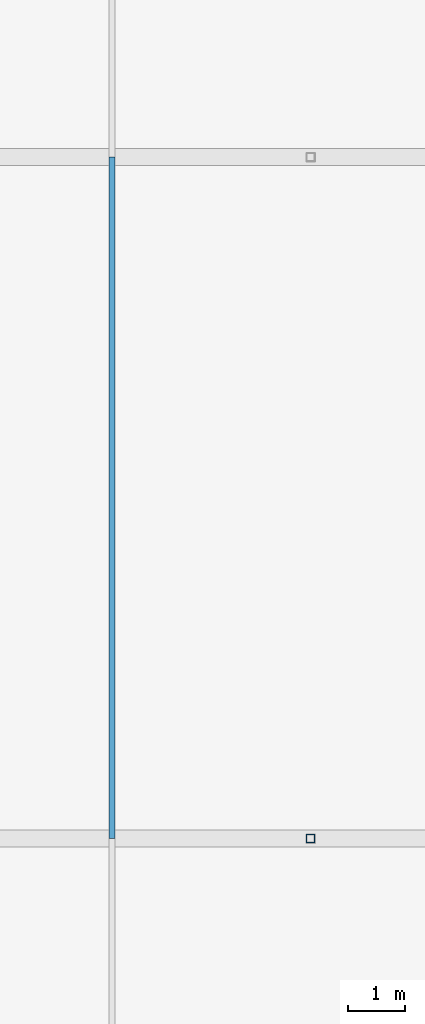
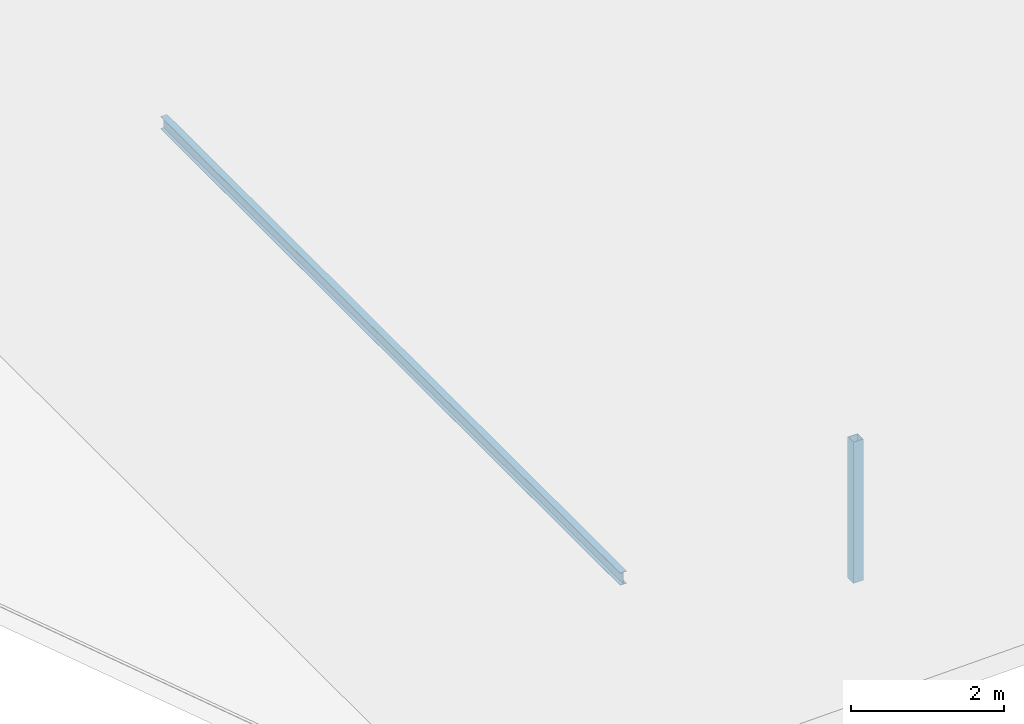
# One storey, part 16 of 204: 2 members.
"""IFC4 building model written with IfcOpenShell, lengths in metres."""

import ifcopenshell
import ifcopenshell.guid

model = None  # the IFC model being written
_history = None  # IfcOwnerHistory: only IFC2X3 demands one
_inside = {}  # id of a spatial element -> (the spatial element, [elements in it])
_under = {}  # id of a project, library or spatial element -> (it, [spatial elements below it])
_declared = {}  # id of a project -> (the project, [libraries it declares])
_typed = {}  # id of a type object -> (the type object, [elements of that type])
_made_of = {}  # id of a material, layer set ... -> (it, [elements and type objects made of it])


def new_model(schema):
    """Start an empty IFC model of exactly this schema.

    Asked for "IFC4X3", IfcOpenShell would pick the latest addendum, in which some entities
    have other attributes; the version numbers below select the first issue.
    IFC2X3 requires an IfcOwnerHistory on every rooted entity: one is made here for all.
    """
    global model, _history
    if schema == "IFC4X3":
        model = ifcopenshell.file(schema_version=(4, 3, 0, 0))
    else:
        model = ifcopenshell.file(schema=schema)
    _inside.clear()
    _under.clear()
    _declared.clear()
    _typed.clear()
    _made_of.clear()
    _history = None
    if model.schema == "IFC2X3":
        org = make("IfcOrganization", Name="unknown")
        user = make(
            "IfcPersonAndOrganization",
            ThePerson=make("IfcPerson", FamilyName="unknown"),
            TheOrganization=org,
        )
        app = make(
            "IfcApplication",
            ApplicationDeveloper=org,
            Version="unknown",
            ApplicationFullName="unknown",
            ApplicationIdentifier="unknown",
        )
        _history = make(
            "IfcOwnerHistory",
            OwningUser=user,
            OwningApplication=app,
            ChangeAction="ADDED",
            CreationDate=0,
        )
    return model


def make(cls, **values):
    """One entity of the class cls with the attributes given. An attribute that is None is left unset."""
    return model.create_entity(
        cls, **{name: value for name, value in values.items() if value is not None}
    )


def rooted(cls, **values):
    """An entity with a GlobalId (a new one), such as an element, a storey or a relation."""
    return make(cls, GlobalId=ifcopenshell.guid.new(), OwnerHistory=_history, **values)


def si_unit(unit_type, name, prefix=None):
    """IfcSIUnit, for example si_unit("LENGTHUNIT", "METRE", prefix="MILLI")."""
    return make("IfcSIUnit", UnitType=unit_type, Prefix=prefix, Name=name)


def assignment(units):
    """IfcUnitAssignment: the units of a project."""
    return None if units is None else make("IfcUnitAssignment", Units=units)


def point(xyz):
    """IfcCartesianPoint."""
    return None if xyz is None else make("IfcCartesianPoint", Coordinates=xyz)


def direction(xyz):
    """IfcDirection."""
    return None if xyz is None else make("IfcDirection", DirectionRatios=xyz)


def frame(location, z_axis=None, x_axis=None):
    """IfcAxis2Placement3D, a coordinate frame: its origin and axes. An axis left out is left unset."""
    return make(
        "IfcAxis2Placement3D",
        Location=point(location),
        Axis=direction(z_axis),
        RefDirection=direction(x_axis),
    )


def frame_2d(location, x_axis=None):
    """IfcAxis2Placement2D, a coordinate frame in the plane: its origin and x axis."""
    return make(
        "IfcAxis2Placement2D", Location=point(location), RefDirection=direction(x_axis)
    )


def origin():
    """The frame at (0, 0, 0) with its axes left unset."""
    return frame((0.0, 0.0, 0.0))


def origin_2d():
    """The frame at (0, 0) in the plane with its x axis left unset."""
    return frame_2d((0.0, 0.0))


def place(relative_to, where):
    """IfcLocalPlacement: puts the frame where relative to a parent placement (None: the world)."""
    return make(
        "IfcLocalPlacement", PlacementRelTo=relative_to, RelativePlacement=where
    )


def context(
    kind, dimensions, precision=None, world=None, true_north=None, identifier=None
):
    """IfcGeometricRepresentationContext, for example the 3D "Model" context."""
    return make(
        "IfcGeometricRepresentationContext",
        ContextIdentifier=identifier,
        ContextType=kind,
        CoordinateSpaceDimension=dimensions,
        Precision=precision,
        WorldCoordinateSystem=world,
        TrueNorth=true_north,
    )


def subcontext(parent, identifier, kind, view, scale=None):
    """IfcGeometricRepresentationSubContext, for example "Body" below "Model"."""
    return make(
        "IfcGeometricRepresentationSubContext",
        ContextIdentifier=identifier,
        ContextType=kind,
        ParentContext=parent,
        TargetScale=scale,
        TargetView=view,
    )


def project(units=None, contexts=None):
    """IfcProject with its units and contexts."""
    return rooted(
        "IfcProject",
        Name="project",
        RepresentationContexts=contexts,
        UnitsInContext=assignment(units),
    )


def spatial(cls, under=None, at=None, **own):
    """A site, building, storey or space (cls), placed at a placement, below another one or the project."""
    s = rooted(cls, ObjectPlacement=at, **own)
    if under is not None:
        _under.setdefault(under.id(), (under, []))[1].append(s)
    return s


def profile(cls, at=None, kind="AREA", **sizes):
    """A parametric profile (cls). Its sizes go by their IFC names, for example OverallWidth=200.0."""
    return make(cls, ProfileType=kind, Position=at, **sizes)


def hollow_rectangle(**sizes):
    """IfcRectangleHollowProfileDef."""
    return profile("IfcRectangleHollowProfileDef", **sizes)


def i_section(**sizes):
    """IfcIShapeProfileDef."""
    return profile("IfcIShapeProfileDef", **sizes)


def extrude(swept, where, along, depth):
    """IfcExtrudedAreaSolid: the profile swept, set in the frame where, extruded along a direction by depth."""
    return make(
        "IfcExtrudedAreaSolid",
        SweptArea=swept,
        Position=where,
        ExtrudedDirection=direction(along),
        Depth=depth,
    )


def shape(context_of_items, identifier, shape_type, items):
    """IfcShapeRepresentation: the items that make up one representation, for example the "Body"."""
    return make(
        "IfcShapeRepresentation",
        ContextOfItems=context_of_items,
        RepresentationIdentifier=identifier,
        RepresentationType=shape_type,
        Items=items,
    )


def material(Name=None, Category=None):
    """IfcMaterial."""
    return make("IfcMaterial", Name=Name, Category=Category)


def material_profile(
    of_material, cross_section, Name=None, Category=None, Priority=None
):
    """IfcMaterialProfile: a cross section and its material."""
    return make(
        "IfcMaterialProfile",
        Name=Name,
        Material=of_material,
        Profile=cross_section,
        Priority=Priority,
        Category=Category,
    )


def profile_set(profiles, Name=None, composite=None):
    """IfcMaterialProfileSet."""
    return make(
        "IfcMaterialProfileSet",
        Name=Name,
        MaterialProfiles=profiles,
        CompositeProfile=composite,
    )


def made_of(thing, what):
    """Note that an element or type object is made of a material, layer set ...; save() writes the relation."""
    if what is not None:
        _made_of.setdefault(what.id(), (what, []))[1].append(thing)
    return thing


def type_object(cls, material=None, **own):
    """A type object (cls), such as IfcWallType, which elements share."""
    return made_of(rooted(cls, **own), material)


def element(
    cls,
    number,
    at=None,
    inside=None,
    cuts=None,
    type_object=None,
    material=None,
    context=None,
    identifier="Body",
    shape_type=None,
    held_by="IfcProductDefinitionShape",
    body=None,
    shapes=None,
    **own,
):
    """One element of the class cls, such as IfcWall. Its Tag is "e" and its number.

    at: its placement. inside: the storey or other place that contains it. cuts: it is an
    opening in that element (IfcRelVoidsElement). A single representation is given by context,
    identifier, shape_type and body (its items); several are given by shapes. held_by: the class
    of the entity that holds the representations. save() writes the other relations.
    """
    e = rooted(cls, Tag="e%d" % number, ObjectPlacement=at, **own)
    if body is not None:
        shapes = [shape(context, identifier, shape_type, body)]
    if shapes is not None:
        e.Representation = make(held_by, Representations=shapes)
    if inside is not None:
        _inside.setdefault(inside.id(), (inside, []))[1].append(e)
    if cuts is not None:
        rooted(
            "IfcRelVoidsElement", RelatingBuildingElement=cuts, RelatedOpeningElement=e
        )
    if type_object is not None:
        _typed.setdefault(type_object.id(), (type_object, []))[1].append(e)
    return made_of(e, material)


def aggregate(whole, parts):
    """IfcRelAggregates: a whole, such as a stair, and the parts it consists of."""
    return rooted("IfcRelAggregates", RelatingObject=whole, RelatedObjects=parts)


def save(model, path):
    """Write the relations noted so far, then the file.

    IfcRelAggregates (storeys below a building ...), IfcRelContainedInSpatialStructure (elements
    in a storey), IfcRelDefinesByType, IfcRelAssociatesMaterial and IfcRelDeclares: one each for
    every whole, place, type object, material and project.
    """
    for whole, parts in _under.values():
        aggregate(whole, parts)
    for where, things in _inside.values():
        rooted(
            "IfcRelContainedInSpatialStructure",
            RelatedElements=things,
            RelatingStructure=where,
        )
    for kind, things in _typed.values():
        rooted("IfcRelDefinesByType", RelatedObjects=things, RelatingType=kind)
    for what, things in _made_of.values():
        rooted("IfcRelAssociatesMaterial", RelatedObjects=things, RelatingMaterial=what)
    for by, libraries in _declared.values():
        rooted("IfcRelDeclares", RelatingContext=by, RelatedDefinitions=libraries)
    model.write(path)


model = new_model("IFC4")

# Units and contexts
model_context = context("Model", 3, precision=1e-05, world=origin(), true_north=direction((0.0, 1.0)))
body_context = subcontext(model_context, "Body", "Model", "MODEL_VIEW")
ifc_project = project(units=[si_unit("LENGTHUNIT", "METRE"), si_unit("AREAUNIT", "SQUARE_METRE"), si_unit("VOLUMEUNIT", "CUBIC_METRE"), si_unit("PLANEANGLEUNIT", "RADIAN"), si_unit("MASSUNIT", "GRAM", prefix="KILO")], contexts=[model_context])

# Site, building, storey
site_placement = place(None, origin())
site = spatial("IfcSite", under=ifc_project, at=site_placement, CompositionType="ELEMENT")
building_placement = place(site_placement, origin())
building = spatial("IfcBuilding", under=site, at=building_placement, Name="Zilviju Railside Exhibition Hall", CompositionType="ELEMENT")
storey_placement = place(building_placement, frame((0.0, 0.0, 21.0)))
storey = spatial("IfcBuildingStorey", under=building, at=storey_placement, Name="RF", CompositionType="ELEMENT", Elevation=21.0)

# Members
ifc_material = material(Name="Steel S355J2", Category="steel")
ifc_material_profile_1 = material_profile(ifc_material, hollow_rectangle(XDim=0.14990234375, YDim=0.14990234375, WallThickness=0.008056640625, at=origin_2d()), Name="SHS 150x150x8.0")
ifc_profile_set_1 = profile_set([ifc_material_profile_1], Name="Steel S355J2")
member_type_1 = type_object("IfcMemberType", Name="TR-POST-SHS150", PredefinedType="POST", material=ifc_profile_set_1)
member_1_placement = place(storey_placement, frame((55.5, 54.0, -8.39990234375), z_axis=(0.0, 0.0, 1.0), x_axis=(1.0, 0.0, 0.0)))
element("IfcMember", 1, at=member_1_placement, inside=storey, type_object=member_type_1, Name="Concourse Saddle Queen Post Y=54.0", PredefinedType="POST", context=body_context, shape_type="SweptSolid", body=[
    extrude(hollow_rectangle(XDim=0.14990234375, YDim=0.14990234375, WallThickness=0.008056640625, at=origin_2d()), origin(), (0.0, 0.0, 1.0), 2.25),
])
ifc_material_profile_2 = material_profile(ifc_material, i_section(OverallWidth=0.10009765625, OverallDepth=0.199951171875, WebThickness=0.005615234375, FlangeThickness=0.008544921875, at=origin_2d()), Name="IPE 200")
ifc_profile_set_2 = profile_set([ifc_material_profile_2], Name="Steel S355J2")
member_type_2 = type_object("IfcMemberType", Name="TR-PUR-IPE200", PredefinedType="PURLIN", material=ifc_profile_set_2)
member_2_placement = place(storey_placement, frame((52.0, 54.0, -7.159912109375), z_axis=(0.0, 1.0, 0.0), x_axis=(-1.0, 0.0, 0.0)))
element("IfcMember", 2, at=member_2_placement, inside=storey, type_object=member_type_2, Name="Concourse Lantern Purlin X=52.0", PredefinedType="PURLIN", context=body_context, shape_type="SweptSolid", body=[
    extrude(i_section(OverallWidth=0.10009765625, OverallDepth=0.199951171875, WebThickness=0.005615234375, FlangeThickness=0.008544921875, at=origin_2d()), origin(), (0.0, 0.0, 1.0), 12.0),
])

save(model, "model.ifc")
